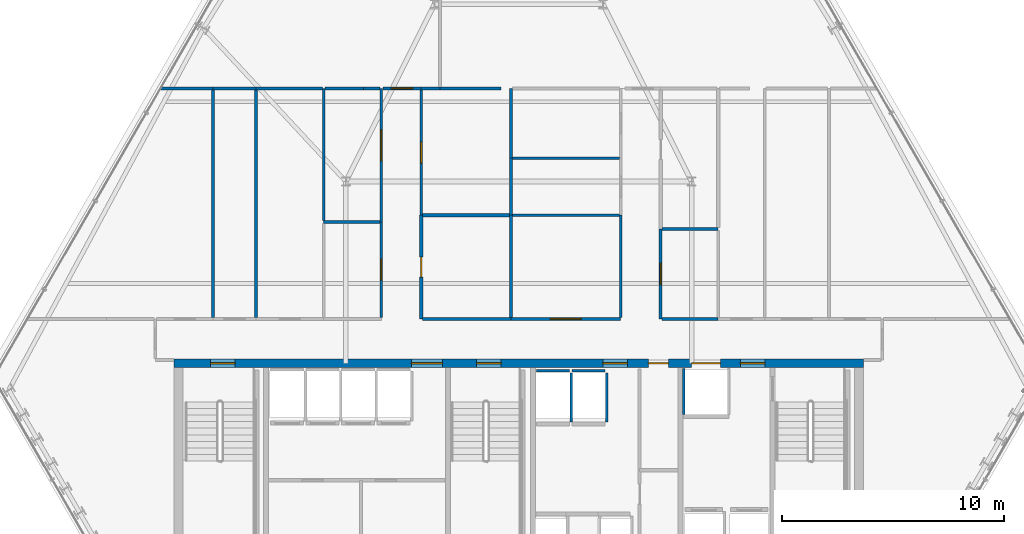
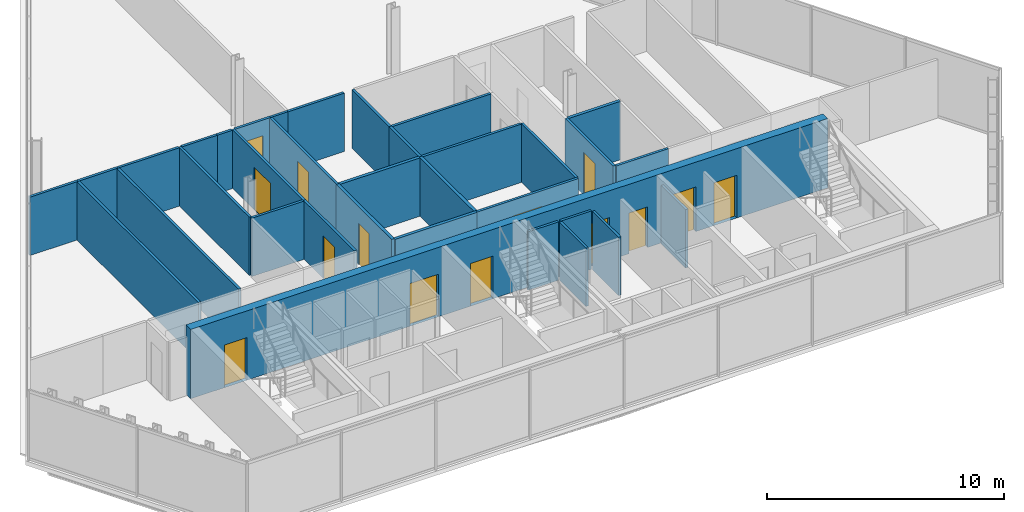
# One storey, part 28 of 33: 34 walls, 14 doors, 14 openings.
"""IFC4 building model written with IfcOpenShell, lengths in metres."""

from ifc_helpers import new_model, si_unit, direction, frame, frame_2d, origin, place, context, subcontext, project, spatial, rectangle, extrude, material, layer, layer_set, type_object, element, fill, save


model = new_model("IFC4")

# Units and contexts
model_context = context("Model", 3, precision=1e-05, world=origin(), true_north=direction((0.0, 1.0)))
body_context = subcontext(model_context, "Body", "Model", "MODEL_VIEW")
ifc_project = project(units=[si_unit("LENGTHUNIT", "METRE"), si_unit("AREAUNIT", "SQUARE_METRE"), si_unit("VOLUMEUNIT", "CUBIC_METRE"), si_unit("PLANEANGLEUNIT", "RADIAN"), si_unit("MASSUNIT", "GRAM", prefix="KILO")], contexts=[model_context])

# Site, building, storey
site_placement = place(None, origin())
site = spatial("IfcSite", under=ifc_project, at=site_placement, CompositionType="ELEMENT")
building_placement = place(site_placement, origin())
building = spatial("IfcBuilding", under=site, at=building_placement, Name="Ndaravel Arena Tower", CompositionType="ELEMENT")
storey_placement = place(building_placement, frame((0.0, 0.0, 161.199951171875)))
storey = spatial("IfcBuildingStorey", under=building, at=storey_placement, Name="L38", CompositionType="ELEMENT", Elevation=161.199951171875)

# Wall, openings, doors
ifc_material_1 = material(Name="Concrete C50/60", Category="concrete")
ifc_layer_1 = layer(ifc_material_1, 0.39990234375)
ifc_layer_set_1 = layer_set([ifc_layer_1], Name="Concrete C50/60")
wall_type_1 = type_object("IfcWallType", Name="WALL-CORE-400", PredefinedType="SOLIDWALL", material=ifc_layer_set_1)
wall_1_placement = place(storey_placement, frame((26.449951171875, 15.0, 0.0), z_axis=(0.0, 0.0, 1.0), x_axis=(1.0, 0.0, 0.0)))
wall_1 = element("IfcWall", 1, at=wall_1_placement, inside=storey, type_object=wall_type_1, Name="L38 Core North Shear Wall", PredefinedType="SOLIDWALL", context=body_context, shape_type="SweptSolid", body=[
    extrude(rectangle(XDim=31.10009765625, YDim=0.39990234375, at=frame_2d((15.550048828125, 0.0))), origin(), (0.0, 0.0, 1.0), 3.580078125),
])
opening_1_placement = place(wall_1_placement, frame((1.64990234375, 0.0, 0.0)))
opening_1 = element("IfcOpeningElement", 2, at=opening_1_placement, cuts=wall_1, Name="Opening FD-01", PredefinedType="OPENING", context=body_context, shape_type="SweptSolid", body=[
    extrude(rectangle(XDim=1.10009765625, YDim=2.199951171875, at=frame_2d((0.550048828125, 1.10009765625))), frame((0.0, 0.199951171875, 0.0), z_axis=(0.0, -1.0, 0.0), x_axis=(1.0, 0.0, 0.0)), (0.0, 0.0, 1.0), 0.39990234375),
])
opening_2_placement = place(wall_1_placement, frame((13.64990234375, 0.0, 0.0)))
opening_2 = element("IfcOpeningElement", 3, at=opening_2_placement, cuts=wall_1, Name="Opening FD-01", PredefinedType="OPENING", context=body_context, shape_type="SweptSolid", body=[
    extrude(rectangle(XDim=1.10009765625, YDim=2.199951171875, at=frame_2d((0.550048828125, 1.10009765625))), frame((0.0, 0.199951171875, 0.0), z_axis=(0.0, -1.0, 0.0), x_axis=(1.0, 0.0, 0.0)), (0.0, 0.0, 1.0), 0.39990234375),
])
opening_3_placement = place(wall_1_placement, frame((25.550048828125, 0.0, 0.0)))
opening_3 = element("IfcOpeningElement", 4, at=opening_3_placement, cuts=wall_1, Name="Opening FD-01", PredefinedType="OPENING", context=body_context, shape_type="SweptSolid", body=[
    extrude(rectangle(XDim=1.10009765625, YDim=2.199951171875, at=frame_2d((0.550048828125, 1.10009765625))), frame((0.0, 0.199951171875, 0.0), z_axis=(0.0, -1.0, 0.0), x_axis=(1.0, 0.0, 0.0)), (0.0, 0.0, 1.0), 0.39990234375),
])
opening_4_placement = place(wall_1_placement, frame((10.699951171875, 0.0, 0.0)))
opening_4 = element("IfcOpeningElement", 5, at=opening_4_placement, cuts=wall_1, Name="Opening ID-02", PredefinedType="OPENING", context=body_context, shape_type="SweptSolid", body=[
    extrude(rectangle(XDim=1.39990234375, YDim=2.199951171875, at=frame_2d((0.699951171875, 1.10009765625))), frame((0.0, 0.199951171875, 0.0), z_axis=(0.0, -1.0, 0.0), x_axis=(1.0, 0.0, 0.0)), (0.0, 0.0, 1.0), 0.39990234375),
])
opening_5_placement = place(wall_1_placement, frame((19.35009765625, 0.0, 0.0)))
opening_5 = element("IfcOpeningElement", 6, at=opening_5_placement, cuts=wall_1, Name="Opening FD-01", PredefinedType="OPENING", context=body_context, shape_type="SweptSolid", body=[
    extrude(rectangle(XDim=1.10009765625, YDim=2.199951171875, at=frame_2d((0.550048828125, 1.10009765625))), frame((0.0, 0.199951171875, 0.0), z_axis=(0.0, -1.0, 0.0), x_axis=(1.0, 0.0, 0.0)), (0.0, 0.0, 1.0), 0.39990234375),
])
opening_6_placement = place(wall_1_placement, frame((21.39990234375, 0.0, 0.0)))
opening_6 = element("IfcOpeningElement", 7, at=opening_6_placement, cuts=wall_1, Name="Opening RD-01", PredefinedType="OPENING", context=body_context, shape_type="SweptSolid", body=[
    extrude(rectangle(XDim=0.89990234375, YDim=2.10009765625, at=frame_2d((0.449951171875, 1.050048828125))), frame((0.0, 0.199951171875, 0.0), z_axis=(0.0, -1.0, 0.0), x_axis=(1.0, 0.0, 0.0)), (0.0, 0.0, 1.0), 0.39990234375),
])
opening_7_placement = place(wall_1_placement, frame((23.35009765625, 0.0, 0.0)))
opening_7 = element("IfcOpeningElement", 8, at=opening_7_placement, cuts=wall_1, Name="Opening LD-02", PredefinedType="OPENING", context=body_context, shape_type="SweptSolid", body=[
    extrude(rectangle(XDim=1.300048828125, YDim=2.300048828125, at=frame_2d((0.64990234375, 1.14990234375))), frame((0.0, 0.199951171875, 0.0), z_axis=(0.0, -1.0, 0.0), x_axis=(1.0, 0.0, 0.0)), (0.0, 0.0, 1.0), 0.39990234375),
])
ifc_material_2 = material(Name="Steel S355", Category="steel")
door_type_1 = type_object("IfcDoorType", Name="DT-01-STAIR-1100", OperationType="SINGLE_SWING_LEFT", PredefinedType="DOOR", material=ifc_material_2)
door_1_placement = place(opening_1_placement, origin())
door_1 = element("IfcDoor", 9, at=door_1_placement, inside=storey, type_object=door_type_1, Name="L38 Exit Stair ST-1 Door", OperationType="SINGLE_SWING_LEFT", OverallHeight=2.199951171875, OverallWidth=1.10009765625, PredefinedType="DOOR", context=body_context, shape_type="SweptSolid", body=[
    extrude(rectangle(XDim=1.10009765625, YDim=2.199951171875, at=frame_2d((0.550048828125, 1.10009765625))), frame((0.0, 0.02490234375, 0.0), z_axis=(0.0, -1.0, 0.0), x_axis=(1.0, 0.0, 0.0)), (0.0, 0.0, 1.0), 0.050048828125),
])
fill(opening_1, door_1)
door_2_placement = place(opening_2_placement, origin())
door_2 = element("IfcDoor", 10, at=door_2_placement, inside=storey, type_object=door_type_1, Name="L38 Exit Stair ST-2 Door", OperationType="SINGLE_SWING_RIGHT", OverallHeight=2.199951171875, OverallWidth=1.10009765625, PredefinedType="DOOR", context=body_context, shape_type="SweptSolid", body=[
    extrude(rectangle(XDim=1.10009765625, YDim=2.199951171875, at=frame_2d((0.550048828125, 1.10009765625))), frame((0.0, 0.02490234375, 0.0), z_axis=(0.0, -1.0, 0.0), x_axis=(1.0, 0.0, 0.0)), (0.0, 0.0, 1.0), 0.050048828125),
])
fill(opening_2, door_2)
door_3_placement = place(opening_3_placement, origin())
door_3 = element("IfcDoor", 11, at=door_3_placement, inside=storey, type_object=door_type_1, Name="L38 Firefighting Lift Lobby Door", OperationType="SINGLE_SWING_RIGHT", OverallHeight=2.199951171875, OverallWidth=1.10009765625, PredefinedType="DOOR", context=body_context, shape_type="SweptSolid", body=[
    extrude(rectangle(XDim=1.10009765625, YDim=2.199951171875, at=frame_2d((0.550048828125, 1.10009765625))), frame((0.0, 0.02490234375, 0.0), z_axis=(0.0, -1.0, 0.0), x_axis=(1.0, 0.0, 0.0)), (0.0, 0.0, 1.0), 0.050048828125),
])
fill(opening_3, door_3)
door_4_placement = place(opening_5_placement, origin())
door_4 = element("IfcDoor", 12, at=door_4_placement, inside=storey, type_object=door_type_1, Name="L38 Express Lift Lobby Entry Door", OperationType="SINGLE_SWING_LEFT", OverallHeight=2.199951171875, OverallWidth=1.10009765625, PredefinedType="DOOR", context=body_context, shape_type="SweptSolid", body=[
    extrude(rectangle(XDim=1.10009765625, YDim=2.199951171875, at=frame_2d((0.550048828125, 1.10009765625))), frame((0.0, 0.02490234375, 0.0), z_axis=(0.0, -1.0, 0.0), x_axis=(1.0, 0.0, 0.0)), (0.0, 0.0, 1.0), 0.050048828125),
])
fill(opening_5, door_4)
ifc_material_3 = material(Name="Timber", Category="wood")
door_type_2 = type_object("IfcDoorType", Name="DT-04-SUITE-1400", OperationType="DOUBLE_DOOR_SINGLE_SWING", PredefinedType="DOOR", material=ifc_material_3)
door_5_placement = place(opening_4_placement, origin())
door_5 = element("IfcDoor", 13, at=door_5_placement, inside=storey, type_object=door_type_2, Name="L38 West Lift Lobby Entry Door", OperationType="DOUBLE_DOOR_SINGLE_SWING", OverallHeight=2.199951171875, OverallWidth=1.39990234375, PredefinedType="DOOR", context=body_context, shape_type="SweptSolid", body=[
    extrude(rectangle(XDim=1.39990234375, YDim=2.199951171875, at=frame_2d((0.699951171875, 1.10009765625))), frame((0.0, 0.02490234375, 0.0), z_axis=(0.0, -1.0, 0.0), x_axis=(1.0, 0.0, 0.0)), (0.0, 0.0, 1.0), 0.050048828125),
])
fill(opening_4, door_5)
ifc_material_4 = material(Name="Steel S355", Category="steel")
door_type_3 = type_object("IfcDoorType", Name="DT-07-SVLIFT-1300", OperationType="DOUBLE_DOOR_SLIDING", PredefinedType="DOOR", material=ifc_material_4)
door_6_placement = place(opening_7_placement, origin())
door_6 = element("IfcDoor", 14, at=door_6_placement, inside=storey, type_object=door_type_3, Name="L38 Lift SVL-1 Sliding Landing Door", OperationType="DOUBLE_DOOR_SLIDING", OverallHeight=2.300048828125, OverallWidth=1.300048828125, PredefinedType="DOOR", context=body_context, shape_type="SweptSolid", body=[
    extrude(rectangle(XDim=1.300048828125, YDim=2.300048828125, at=frame_2d((0.64990234375, 1.14990234375))), frame((0.0, 0.02490234375, 0.0), z_axis=(0.0, -1.0, 0.0), x_axis=(1.0, 0.0, 0.0)), (0.0, 0.0, 1.0), 0.050048828125),
])
fill(opening_7, door_6)
ifc_material_5 = material(Name="Steel S355", Category="steel")
door_type_4 = type_object("IfcDoorType", Name="DT-08-RISER-900", OperationType="SINGLE_SWING_LEFT", PredefinedType="DOOR", material=ifc_material_5)
door_7_placement = place(opening_6_placement, origin())
door_7 = element("IfcDoor", 15, at=door_7_placement, inside=storey, type_object=door_type_4, Name="L38 Core Service Riser North Door", OperationType="SINGLE_SWING_LEFT", OverallHeight=2.10009765625, OverallWidth=0.89990234375, PredefinedType="DOOR", context=body_context, shape_type="SweptSolid", body=[
    extrude(rectangle(XDim=0.89990234375, YDim=2.10009765625, at=frame_2d((0.449951171875, 1.050048828125))), frame((0.0, 0.02490234375, 0.0), z_axis=(0.0, -1.0, 0.0), x_axis=(1.0, 0.0, 0.0)), (0.0, 0.0, 1.0), 0.050048828125),
])
fill(opening_6, door_7)

# Wall, opening, door
ifc_material_6 = material(Name="Gypsum", Category="gypsum")
ifc_layer_2 = layer(ifc_material_6, 0.125)
ifc_layer_set_2 = layer_set([ifc_layer_2], Name="Gypsum")
wall_type_2 = type_object("IfcWallType", Name="WALL-PART-125", PredefinedType="PARTITIONING", material=ifc_layer_set_2)
wall_2_placement = place(storey_placement, frame((35.800048828125, 17.06494140625, 0.0), z_axis=(0.0, 0.0, 1.0), x_axis=(0.0, 1.0, 0.0)))
wall_2 = element("IfcWall", 16, at=wall_2_placement, inside=storey, type_object=wall_type_2, Name="L38 Interior Partition 009", PredefinedType="PARTITIONING", context=body_context, shape_type="SweptSolid", body=[
    extrude(rectangle(XDim=4.302978515625, YDim=0.125, at=frame_2d((2.1513671875, 0.0))), origin(), (0.0, 0.0, 1.0), 3.010498046875),
])
opening_8_placement = place(wall_2_placement, frame((1.676513671875, 0.0, 0.0)))
opening_8 = element("IfcOpeningElement", 17, at=opening_8_placement, cuts=wall_2, Name="Opening ID-01", PredefinedType="OPENING", context=body_context, shape_type="SweptSolid", body=[
    extrude(rectangle(XDim=0.949951171875, YDim=2.199951171875, at=frame_2d((0.47509765625, 1.10009765625))), frame((0.0, 0.0625, 0.0), z_axis=(0.0, -1.0, 0.0), x_axis=(1.0, 0.0, 0.0)), (0.0, 0.0, 1.0), 0.125),
])
ifc_material_7 = material(Name="Timber", Category="wood")
door_type_5 = type_object("IfcDoorType", Name="DT-03-OFFICE-950", OperationType="SINGLE_SWING_LEFT", PredefinedType="DOOR", material=ifc_material_7)
door_8_placement = place(opening_8_placement, origin())
door_8 = element("IfcDoor", 18, at=door_8_placement, inside=storey, type_object=door_type_5, Name="L38 Quiet Reading Library Door", OperationType="SINGLE_SWING_RIGHT", OverallHeight=2.199951171875, OverallWidth=0.949951171875, PredefinedType="DOOR", context=body_context, shape_type="SweptSolid", body=[
    extrude(rectangle(XDim=0.949951171875, YDim=2.199951171875, at=frame_2d((0.47509765625, 1.10009765625))), frame((0.0, 0.02490234375, 0.0), z_axis=(0.0, -1.0, 0.0), x_axis=(1.0, 0.0, 0.0)), (0.0, 0.0, 1.0), 0.050048828125),
])
fill(opening_8, door_8)

wall_3_placement = place(storey_placement, frame((35.800048828125, 21.367919921875, 0.0), z_axis=(0.0, 0.0, 1.0), x_axis=(0.0, 1.0, 0.0)))
wall_3 = element("IfcWall", 19, at=wall_3_placement, inside=storey, type_object=wall_type_2, Name="L38 Interior Partition 010", PredefinedType="PARTITIONING", context=body_context, shape_type="SweptSolid", body=[
    extrude(rectangle(XDim=6.031982421875, YDim=0.125, at=frame_2d((3.01611328125, 0.0))), origin(), (0.0, 0.0, 1.0), 3.010498046875),
])
opening_9_placement = place(wall_3_placement, frame((2.76611328125, 0.0, 0.0)))
opening_9 = element("IfcOpeningElement", 20, at=opening_9_placement, cuts=wall_3, Name="Opening ID-02", PredefinedType="OPENING", context=body_context, shape_type="SweptSolid", body=[
    extrude(rectangle(XDim=1.39990234375, YDim=2.199951171875, at=frame_2d((0.699951171875, 1.10009765625))), frame((0.0, 0.0625, 0.0), z_axis=(0.0, -1.0, 0.0), x_axis=(1.0, 0.0, 0.0)), (0.0, 0.0, 1.0), 0.125),
])
door_9_placement = place(opening_9_placement, origin())
door_9 = element("IfcDoor", 21, at=door_9_placement, inside=storey, type_object=door_type_2, Name="L38 Client Conference Room 6 Door", OperationType="SINGLE_SWING_LEFT", OverallHeight=2.199951171875, OverallWidth=1.39990234375, PredefinedType="DOOR", context=body_context, shape_type="SweptSolid", body=[
    extrude(rectangle(XDim=1.39990234375, YDim=2.199951171875, at=frame_2d((0.699951171875, 1.10009765625))), frame((0.0, 0.02490234375, 0.0), z_axis=(0.0, -1.0, 0.0), x_axis=(1.0, 0.0, 0.0)), (0.0, 0.0, 1.0), 0.050048828125),
])
fill(opening_9, door_9)

wall_4_placement = place(storey_placement, frame((35.864990234375, 27.39990234375, 0.0), z_axis=(0.0, 0.0, 1.0), x_axis=(1.0, 0.0, 0.0)))
wall_4 = element("IfcWall", 22, at=wall_4_placement, inside=storey, type_object=wall_type_2, Name="L38 Interior Partition 011", PredefinedType="PARTITIONING", context=body_context, shape_type="SweptSolid", body=[
    extrude(rectangle(XDim=1.735107421875, YDim=0.125, at=frame_2d((0.86767578125, 0.0))), origin(), (0.0, 0.0, 1.0), 3.010498046875),
])
opening_10_placement = place(wall_4_placement, frame((0.392578125, 0.0, 0.0)))
opening_10 = element("IfcOpeningElement", 23, at=opening_10_placement, cuts=wall_4, Name="Opening ID-01", PredefinedType="OPENING", context=body_context, shape_type="SweptSolid", body=[
    extrude(rectangle(XDim=0.949951171875, YDim=2.199951171875, at=frame_2d((0.47509765625, 1.10009765625))), frame((0.0, 0.0625, 0.0), z_axis=(0.0, -1.0, 0.0), x_axis=(1.0, 0.0, 0.0)), (0.0, 0.0, 1.0), 0.125),
])
door_10_placement = place(opening_10_placement, origin())
door_10 = element("IfcDoor", 24, at=door_10_placement, inside=storey, type_object=door_type_5, Name="L38 Medical First Aid Clinic 7 Door", OperationType="SINGLE_SWING_RIGHT", OverallHeight=2.199951171875, OverallWidth=0.949951171875, PredefinedType="DOOR", context=body_context, shape_type="SweptSolid", body=[
    extrude(rectangle(XDim=0.949951171875, YDim=2.199951171875, at=frame_2d((0.47509765625, 1.10009765625))), frame((0.0, 0.02490234375, 0.0), z_axis=(0.0, -1.0, 0.0), x_axis=(1.0, 0.0, 0.0)), (0.0, 0.0, 1.0), 0.050048828125),
])
fill(opening_10, door_10)

wall_5_placement = place(storey_placement, frame((37.60009765625, 27.3349609375, 0.0), z_axis=(0.0, 0.0, 1.0), x_axis=(0.0, -1.0, 0.0)))
wall_5 = element("IfcWall", 25, at=wall_5_placement, inside=storey, type_object=wall_type_2, Name="L38 Interior Partition 012", PredefinedType="PARTITIONING", context=body_context, shape_type="SweptSolid", body=[
    extrude(rectangle(XDim=5.655029296875, YDim=0.125, at=frame_2d((2.82763671875, 0.0))), origin(), (0.0, 0.0, 1.0), 3.010498046875),
])
opening_11_placement = place(wall_5_placement, frame((2.3525390625, 0.0, 0.0)))
opening_11 = element("IfcOpeningElement", 26, at=opening_11_placement, cuts=wall_5, Name="Opening ID-01", PredefinedType="OPENING", context=body_context, shape_type="SweptSolid", body=[
    extrude(rectangle(XDim=0.949951171875, YDim=2.199951171875, at=frame_2d((0.47509765625, 1.10009765625))), frame((0.0, 0.0625, 0.0), z_axis=(0.0, -1.0, 0.0), x_axis=(1.0, 0.0, 0.0)), (0.0, 0.0, 1.0), 0.125),
])
door_11_placement = place(opening_11_placement, origin())
door_11 = element("IfcDoor", 27, at=door_11_placement, inside=storey, type_object=door_type_5, Name="L38 Occupational Consult Room 6 Door", OperationType="SINGLE_SWING_RIGHT", OverallHeight=2.199951171875, OverallWidth=0.949951171875, PredefinedType="DOOR", context=body_context, shape_type="SweptSolid", body=[
    extrude(rectangle(XDim=0.949951171875, YDim=2.199951171875, at=frame_2d((0.47509765625, 1.10009765625))), frame((0.0, 0.02490234375, 0.0), z_axis=(0.0, -1.0, 0.0), x_axis=(1.0, 0.0, 0.0)), (0.0, 0.0, 1.0), 0.050048828125),
])
fill(opening_11, door_11)

wall_6_placement = place(storey_placement, frame((41.64990234375, 17.0, 0.0), z_axis=(0.0, 0.0, 1.0), x_axis=(1.0, 0.0, 0.0)))
wall_6 = element("IfcWall", 28, at=wall_6_placement, inside=storey, type_object=wall_type_2, Name="L38 Interior Partition 015", PredefinedType="PARTITIONING", context=body_context, shape_type="SweptSolid", body=[
    extrude(rectangle(XDim=4.9501953125, YDim=0.125, at=frame_2d((2.47509765625, 0.0))), origin(), (0.0, 0.0, 1.0), 3.010498046875),
])
opening_12_placement = place(wall_6_placement, frame((1.77490234375, 0.0, 0.0)))
opening_12 = element("IfcOpeningElement", 29, at=opening_12_placement, cuts=wall_6, Name="Opening ID-02", PredefinedType="OPENING", context=body_context, shape_type="SweptSolid", body=[
    extrude(rectangle(XDim=1.39990234375, YDim=2.199951171875, at=frame_2d((0.699951171875, 1.10009765625))), frame((0.0, 0.0625, 0.0), z_axis=(0.0, -1.0, 0.0), x_axis=(1.0, 0.0, 0.0)), (0.0, 0.0, 1.0), 0.125),
])
door_12_placement = place(opening_12_placement, origin())
door_12 = element("IfcDoor", 30, at=door_12_placement, inside=storey, type_object=door_type_2, Name="L38 Client Conference Room 2 Door", OperationType="SINGLE_SWING_RIGHT", OverallHeight=2.199951171875, OverallWidth=1.39990234375, PredefinedType="DOOR", context=body_context, shape_type="SweptSolid", body=[
    extrude(rectangle(XDim=1.39990234375, YDim=2.199951171875, at=frame_2d((0.699951171875, 1.10009765625))), frame((0.0, 0.02490234375, 0.0), z_axis=(0.0, -1.0, 0.0), x_axis=(1.0, 0.0, 0.0)), (0.0, 0.0, 1.0), 0.050048828125),
])
fill(opening_12, door_12)

# Wall
wall_7_placement = place(storey_placement, frame((46.60009765625, 17.06494140625, 0.0), z_axis=(0.0, 0.0, 1.0), x_axis=(0.0, 1.0, 0.0)))
element("IfcWall", 31, at=wall_7_placement, inside=storey, type_object=wall_type_2, Name="L38 Interior Partition 016", PredefinedType="PARTITIONING", context=body_context, shape_type="SweptSolid", body=[
    extrude(rectangle(XDim=4.614990234375, YDim=0.125, at=frame_2d((2.3076171875, 0.0))), origin(), (0.0, 0.0, 1.0), 3.010498046875),
])

# Wall, opening, door
wall_8_placement = place(storey_placement, frame((48.39990234375, 21.055908203125, 0.0), z_axis=(0.0, 0.0, 1.0), x_axis=(0.0, -1.0, 0.0)))
wall_8 = element("IfcWall", 32, at=wall_8_placement, inside=storey, type_object=wall_type_2, Name="L38 Interior Partition 021", PredefinedType="PARTITIONING", context=body_context, shape_type="SweptSolid", body=[
    extrude(rectangle(XDim=4.055908203125, YDim=0.125, at=frame_2d((2.02783203125, 0.0))), origin(), (0.0, 0.0, 1.0), 3.010498046875),
])
opening_13_placement = place(wall_8_placement, frame((1.552978515625, 0.0, 0.0)))
opening_13 = element("IfcOpeningElement", 33, at=opening_13_placement, cuts=wall_8, Name="Opening ID-01", PredefinedType="OPENING", context=body_context, shape_type="SweptSolid", body=[
    extrude(rectangle(XDim=0.949951171875, YDim=2.199951171875, at=frame_2d((0.47509765625, 1.10009765625))), frame((0.0, 0.0625, 0.0), z_axis=(0.0, -1.0, 0.0), x_axis=(1.0, 0.0, 0.0)), (0.0, 0.0, 1.0), 0.125),
])
door_13_placement = place(opening_13_placement, origin())
door_13 = element("IfcDoor", 34, at=door_13_placement, inside=storey, type_object=door_type_5, Name="L38 Open Plan Workplace Door", OperationType="SINGLE_SWING_LEFT", OverallHeight=2.199951171875, OverallWidth=0.949951171875, PredefinedType="DOOR", context=body_context, shape_type="SweptSolid", body=[
    extrude(rectangle(XDim=0.949951171875, YDim=2.199951171875, at=frame_2d((0.47509765625, 1.10009765625))), frame((0.0, 0.02490234375, 0.0), z_axis=(0.0, -1.0, 0.0), x_axis=(1.0, 0.0, 0.0)), (0.0, 0.0, 1.0), 0.050048828125),
])
fill(opening_13, door_13)

# Walls
wall_9_placement = place(storey_placement, frame((48.465087890625, 17.0, 0.0), z_axis=(0.0, 0.0, 1.0), x_axis=(1.0, 0.0, 0.0)))
element("IfcWall", 35, at=wall_9_placement, inside=storey, type_object=wall_type_2, Name="L38 Interior Partition 022", PredefinedType="PARTITIONING", context=body_context, shape_type="SweptSolid", body=[
    extrude(rectangle(XDim=2.534912109375, YDim=0.125, at=frame_2d((1.267578125, 0.0))), origin(), (0.0, 0.0, 1.0), 3.010498046875),
])
wall_10_placement = place(storey_placement, frame((33.199951171875, 21.367919921875, 0.0), z_axis=(0.0, 0.0, 1.0), x_axis=(1.0, 0.0, 0.0)))
element("IfcWall", 36, at=wall_10_placement, inside=storey, type_object=wall_type_2, Name="L38 Interior Partition 032", PredefinedType="PARTITIONING", context=body_context, shape_type="SweptSolid", body=[
    extrude(rectangle(XDim=2.53515625, YDim=0.125, at=frame_2d((1.267578125, 0.0))), origin(), (0.0, 0.0, 1.0), 3.010498046875),
])
wall_11_placement = place(storey_placement, frame((41.715087890625, 21.679931640625, 0.0), z_axis=(0.0, 0.0, 1.0), x_axis=(1.0, 0.0, 0.0)))
element("IfcWall", 37, at=wall_11_placement, inside=storey, type_object=wall_type_2, Name="L38 Interior Partition 036", PredefinedType="PARTITIONING", context=body_context, shape_type="SweptSolid", body=[
    extrude(rectangle(XDim=4.81982421875, YDim=0.125, at=frame_2d((2.409912109375, 0.0))), origin(), (0.0, 0.0, 1.0), 3.010498046875),
])
wall_12_placement = place(storey_placement, frame((25.83984375, 27.39990234375, 0.0), z_axis=(0.0, 0.0, 1.0), x_axis=(1.0, 0.0, 0.0)))
element("IfcWall", 38, at=wall_12_placement, inside=storey, type_object=wall_type_2, Name="L38 Interior Partition 039", PredefinedType="PARTITIONING", context=body_context, shape_type="SweptSolid", body=[
    extrude(rectangle(XDim=2.360107421875, YDim=0.125, at=frame_2d((1.18017578125, 0.0))), origin(), (0.0, 0.0, 1.0), 3.010498046875),
])
wall_13_placement = place(storey_placement, frame((28.199951171875, 27.3349609375, 0.0), z_axis=(0.0, 0.0, 1.0), x_axis=(0.0, -1.0, 0.0)))
element("IfcWall", 39, at=wall_13_placement, inside=storey, type_object=wall_type_2, Name="L38 Interior Partition 040", PredefinedType="PARTITIONING", context=body_context, shape_type="SweptSolid", body=[
    extrude(rectangle(XDim=10.27001953125, YDim=0.125, at=frame_2d((5.135009765625, 0.0))), origin(), (0.0, 0.0, 1.0), 3.010498046875),
])
wall_14_placement = place(storey_placement, frame((28.199951171875, 27.39990234375, 0.0), z_axis=(0.0, 0.0, 1.0), x_axis=(1.0, 0.0, 0.0)))
element("IfcWall", 40, at=wall_14_placement, inside=storey, type_object=wall_type_2, Name="L38 Interior Partition 041", PredefinedType="PARTITIONING", context=body_context, shape_type="SweptSolid", body=[
    extrude(rectangle(XDim=1.949951171875, YDim=0.125, at=frame_2d((0.97509765625, 0.0))), origin(), (0.0, 0.0, 1.0), 3.010498046875),
])
wall_15_placement = place(storey_placement, frame((30.14990234375, 27.3349609375, 0.0), z_axis=(0.0, 0.0, 1.0), x_axis=(0.0, -1.0, 0.0)))
element("IfcWall", 41, at=wall_15_placement, inside=storey, type_object=wall_type_2, Name="L38 Interior Partition 042", PredefinedType="PARTITIONING", context=body_context, shape_type="SweptSolid", body=[
    extrude(rectangle(XDim=10.27001953125, YDim=0.125, at=frame_2d((5.135009765625, 0.0))), origin(), (0.0, 0.0, 1.0), 3.010498046875),
])
wall_16_placement = place(storey_placement, frame((33.199951171875, 27.39990234375, 0.0), z_axis=(0.0, 0.0, 1.0), x_axis=(0.0, -1.0, 0.0)))
element("IfcWall", 42, at=wall_16_placement, inside=storey, type_object=wall_type_2, Name="L38 Interior Partition 043", PredefinedType="PARTITIONING", context=body_context, shape_type="SweptSolid", body=[
    extrude(rectangle(XDim=5.966796875, YDim=0.125, at=frame_2d((2.9833984375, 0.0))), origin(), (0.0, 0.0, 1.0), 3.010498046875),
])
wall_17_placement = place(storey_placement, frame((30.14990234375, 27.39990234375, 0.0), z_axis=(0.0, 0.0, 1.0), x_axis=(1.0, 0.0, 0.0)))
element("IfcWall", 43, at=wall_17_placement, inside=storey, type_object=wall_type_2, Name="L38 Interior Partition 044", PredefinedType="PARTITIONING", context=body_context, shape_type="SweptSolid", body=[
    extrude(rectangle(XDim=2.985107421875, YDim=0.125, at=frame_2d((1.49267578125, 0.0))), origin(), (0.0, 0.0, 1.0), 3.010498046875),
])
wall_18_placement = place(storey_placement, frame((41.64990234375, 21.679931640625, 0.0), z_axis=(0.0, 0.0, 1.0), x_axis=(0.0, 1.0, 0.0)))
element("IfcWall", 44, at=wall_18_placement, inside=storey, type_object=wall_type_2, Name="L38 Interior Partition 049", PredefinedType="PARTITIONING", context=body_context, shape_type="SweptSolid", body=[
    extrude(rectangle(XDim=2.573974609375, YDim=0.125, at=frame_2d((1.287109375, 0.0))), origin(), (0.0, 0.0, 1.0), 3.010498046875),
])
wall_19_placement = place(storey_placement, frame((41.715087890625, 24.25390625, 0.0), z_axis=(0.0, 0.0, 1.0), x_axis=(1.0, 0.0, 0.0)))
element("IfcWall", 45, at=wall_19_placement, inside=storey, type_object=wall_type_2, Name="L38 Interior Partition 050", PredefinedType="PARTITIONING", context=body_context, shape_type="SweptSolid", body=[
    extrude(rectangle(XDim=4.81982421875, YDim=0.125, at=frame_2d((2.409912109375, 0.0))), origin(), (0.0, 0.0, 1.0), 3.010498046875),
])
wall_20_placement = place(storey_placement, frame((33.264892578125, 27.39990234375, 0.0), z_axis=(0.0, 0.0, 1.0), x_axis=(1.0, 0.0, 0.0)))
element("IfcWall", 46, at=wall_20_placement, inside=storey, type_object=wall_type_2, Name="L38 Interior Partition 052", PredefinedType="PARTITIONING", context=body_context, shape_type="SweptSolid", body=[
    extrude(rectangle(XDim=1.735107421875, YDim=0.125, at=frame_2d((0.86767578125, 0.0))), origin(), (0.0, 0.0, 1.0), 3.010498046875),
])
wall_21_placement = place(storey_placement, frame((35.0, 27.39990234375, 0.0), z_axis=(0.0, 0.0, 1.0), x_axis=(1.0, 0.0, 0.0)))
element("IfcWall", 47, at=wall_21_placement, inside=storey, type_object=wall_type_2, Name="L38 Interior Partition 053", PredefinedType="PARTITIONING", context=body_context, shape_type="SweptSolid", body=[
    extrude(rectangle(XDim=0.735107421875, YDim=0.125, at=frame_2d((0.36767578125, 0.0))), origin(), (0.0, 0.0, 1.0), 3.010498046875),
])
wall_22_placement = place(storey_placement, frame((41.64990234375, 27.39990234375, 0.0), z_axis=(0.0, 0.0, 1.0), x_axis=(0.0, -1.0, 0.0)))
element("IfcWall", 48, at=wall_22_placement, inside=storey, type_object=wall_type_2, Name="L38 Interior Partition 054", PredefinedType="PARTITIONING", context=body_context, shape_type="SweptSolid", body=[
    extrude(rectangle(XDim=3.14599609375, YDim=0.125, at=frame_2d((1.572998046875, 0.0))), origin(), (0.0, 0.0, 1.0), 3.010498046875),
])
wall_23_placement = place(storey_placement, frame((37.60009765625, 27.39990234375, 0.0), z_axis=(0.0, 0.0, 1.0), x_axis=(1.0, 0.0, 0.0)))
element("IfcWall", 49, at=wall_23_placement, inside=storey, type_object=wall_type_2, Name="L38 Interior Partition 055", PredefinedType="PARTITIONING", context=body_context, shape_type="SweptSolid", body=[
    extrude(rectangle(XDim=0.8447265625, YDim=0.125, at=frame_2d((0.42236328125, 0.0))), origin(), (0.0, 0.0, 1.0), 3.010498046875),
])
wall_24_placement = place(storey_placement, frame((38.44482421875, 27.39990234375, 0.0), z_axis=(0.0, 0.0, 1.0), x_axis=(1.0, 0.0, 0.0)))
element("IfcWall", 50, at=wall_24_placement, inside=storey, type_object=wall_type_2, Name="L38 Interior Partition 056", PredefinedType="PARTITIONING", context=body_context, shape_type="SweptSolid", body=[
    extrude(rectangle(XDim=2.755126953125, YDim=0.125, at=frame_2d((1.37744140625, 0.0))), origin(), (0.0, 0.0, 1.0), 3.010498046875),
])
ifc_material_8 = material(Name="Concrete C40/50", Category="concrete")
ifc_layer_3 = layer(ifc_material_8, 0.1201171875)
ifc_layer_set_3 = layer_set([ifc_layer_3], Name="Concrete C40/50")
wall_type_3 = type_object("IfcWallType", Name="WALL-SHAFT-120", PredefinedType="SOLIDWALL", material=ifc_layer_set_3)
wall_25_placement = place(storey_placement, frame((42.804931640625, 14.659912109375, 0.0), z_axis=(0.0, 0.0, 1.0), x_axis=(1.0, 0.0, 0.0)))
element("IfcWall", 51, at=wall_25_placement, inside=storey, type_object=wall_type_3, Name="L38 PL-OBS1 Shaft Rear Wall", PredefinedType="SOLIDWALL", context=body_context, shape_type="SweptSolid", body=[
    extrude(rectangle(XDim=1.489990234375, YDim=0.1201171875, at=frame_2d((0.7451171875, 0.0))), origin(), (0.0, 0.0, 1.0), 3.010498046875),
])
wall_26_placement = place(storey_placement, frame((44.375, 12.340087890625, 0.0), z_axis=(0.0, 0.0, 1.0), x_axis=(0.0, 1.0, 0.0)))
element("IfcWall", 52, at=wall_26_placement, inside=storey, type_object=wall_type_3, Name="L38 PL-OBS1 Shaft Side R Wall", PredefinedType="SOLIDWALL", context=body_context, shape_type="SweptSolid", body=[
    extrude(rectangle(XDim=2.22998046875, YDim=0.1201171875, at=frame_2d((1.114990234375, 0.0))), origin(), (0.0, 0.0, 1.0), 3.010498046875),
])
wall_27_placement = place(storey_placement, frame((44.405029296875, 14.659912109375, 0.0), z_axis=(0.0, 0.0, 1.0), x_axis=(1.0, 0.0, 0.0)))
element("IfcWall", 53, at=wall_27_placement, inside=storey, type_object=wall_type_3, Name="L38 PL-OBS2 Shaft Rear Wall", PredefinedType="SOLIDWALL", context=body_context, shape_type="SweptSolid", body=[
    extrude(rectangle(XDim=1.489990234375, YDim=0.1201171875, at=frame_2d((0.7451171875, 0.0))), origin(), (0.0, 0.0, 1.0), 3.010498046875),
])
wall_28_placement = place(storey_placement, frame((45.97509765625, 12.340087890625, 0.0), z_axis=(0.0, 0.0, 1.0), x_axis=(0.0, 1.0, 0.0)))
element("IfcWall", 54, at=wall_28_placement, inside=storey, type_object=wall_type_3, Name="L38 PL-OBS2 Shaft Side R Wall", PredefinedType="SOLIDWALL", context=body_context, shape_type="SweptSolid", body=[
    extrude(rectangle(XDim=2.22998046875, YDim=0.1201171875, at=frame_2d((1.114990234375, 0.0))), origin(), (0.0, 0.0, 1.0), 3.010498046875),
])
wall_29_placement = place(storey_placement, frame((49.43994140625, 12.68994140625, 0.0), z_axis=(0.0, 0.0, 1.0), x_axis=(0.0, 1.0, 0.0)))
element("IfcWall", 55, at=wall_29_placement, inside=storey, type_object=wall_type_3, Name="L38 SVL-1 Shaft W Wall", PredefinedType="SOLIDWALL", context=body_context, shape_type="SweptSolid", body=[
    extrude(rectangle(XDim=2.070068359375, YDim=0.1201171875, at=frame_2d((1.03515625, 0.0))), origin(), (0.0, 0.0, 1.0), 3.010498046875),
])

# Wall, opening, door
ifc_material_9 = material(Name="Masonry", Category="masonry")
ifc_layer_4 = layer(ifc_material_9, 0.14990234375)
ifc_layer_set_4 = layer_set([ifc_layer_4], Name="Masonry")
wall_type_4 = type_object("IfcWallType", Name="WALL-WET-150", PredefinedType="PARTITIONING", material=ifc_layer_set_4)
wall_30_placement = place(storey_placement, frame((37.60009765625, 21.679931640625, 0.0), z_axis=(0.0, 0.0, 1.0), x_axis=(0.0, -1.0, 0.0)))
wall_30 = element("IfcWall", 56, at=wall_30_placement, inside=storey, type_object=wall_type_4, Name="L38 Interior Partition 013", PredefinedType="PARTITIONING", context=body_context, shape_type="SweptSolid", body=[
    extrude(rectangle(XDim=4.679931640625, YDim=0.14990234375, at=frame_2d((2.33984375, 0.0))), origin(), (0.0, 0.0, 1.0), 3.010498046875),
])
opening_14_placement = place(wall_30_placement, frame((1.889892578125, 0.0, 0.0)))
opening_14 = element("IfcOpeningElement", 57, at=opening_14_placement, cuts=wall_30, Name="Opening WD-01", PredefinedType="OPENING", context=body_context, shape_type="SweptSolid", body=[
    extrude(rectangle(XDim=0.89990234375, YDim=2.14990234375, at=frame_2d((0.449951171875, 1.074951171875))), frame((0.0, 0.074951171875, 0.0), z_axis=(0.0, -1.0, 0.0), x_axis=(1.0, 0.0, 0.0)), (0.0, 0.0, 1.0), 0.14990234375),
])
ifc_material_10 = material(Name="Timber", Category="wood")
door_type_6 = type_object("IfcDoorType", Name="DT-05-WC-900", OperationType="SINGLE_SWING_LEFT", PredefinedType="DOOR", material=ifc_material_10)
door_14_placement = place(opening_14_placement, origin())
door_14 = element("IfcDoor", 58, at=door_14_placement, inside=storey, type_object=door_type_6, Name="L38 Male Staff & Visitor Restroom Door", OperationType="SINGLE_SWING_LEFT", OverallHeight=2.14990234375, OverallWidth=0.89990234375, PredefinedType="DOOR", context=body_context, shape_type="SweptSolid", body=[
    extrude(rectangle(XDim=0.89990234375, YDim=2.14990234375, at=frame_2d((0.449951171875, 1.074951171875))), frame((0.0, 0.02490234375, 0.0), z_axis=(0.0, -1.0, 0.0), x_axis=(1.0, 0.0, 0.0)), (0.0, 0.0, 1.0), 0.050048828125),
])
fill(opening_14, door_14)

# Walls
wall_31_placement = place(storey_placement, frame((37.6650390625, 17.0, 0.0), z_axis=(0.0, 0.0, 1.0), x_axis=(1.0, 0.0, 0.0)))
element("IfcWall", 59, at=wall_31_placement, inside=storey, type_object=wall_type_4, Name="L38 Interior Partition 014", PredefinedType="PARTITIONING", context=body_context, shape_type="SweptSolid", body=[
    extrude(rectangle(XDim=3.98486328125, YDim=0.14990234375, at=frame_2d((1.992431640625, 0.0))), origin(), (0.0, 0.0, 1.0), 3.010498046875),
])
wall_32_placement = place(storey_placement, frame((48.465087890625, 21.055908203125, 0.0), z_axis=(0.0, 0.0, 1.0), x_axis=(1.0, 0.0, 0.0)))
element("IfcWall", 60, at=wall_32_placement, inside=storey, type_object=wall_type_4, Name="L38 Interior Partition 030", PredefinedType="PARTITIONING", context=body_context, shape_type="SweptSolid", body=[
    extrude(rectangle(XDim=2.534912109375, YDim=0.14990234375, at=frame_2d((1.267578125, 0.0))), origin(), (0.0, 0.0, 1.0), 3.010498046875),
])
wall_33_placement = place(storey_placement, frame((41.64990234375, 21.679931640625, 0.0), z_axis=(0.0, 0.0, 1.0), x_axis=(0.0, -1.0, 0.0)))
element("IfcWall", 61, at=wall_33_placement, inside=storey, type_object=wall_type_4, Name="L38 Interior Partition 034", PredefinedType="PARTITIONING", context=body_context, shape_type="SweptSolid", body=[
    extrude(rectangle(XDim=4.614990234375, YDim=0.14990234375, at=frame_2d((2.3076171875, 0.0))), origin(), (0.0, 0.0, 1.0), 3.010498046875),
])
wall_34_placement = place(storey_placement, frame((37.6650390625, 21.679931640625, 0.0), z_axis=(0.0, 0.0, 1.0), x_axis=(1.0, 0.0, 0.0)))
element("IfcWall", 62, at=wall_34_placement, inside=storey, type_object=wall_type_4, Name="L38 Interior Partition 035", PredefinedType="PARTITIONING", context=body_context, shape_type="SweptSolid", body=[
    extrude(rectangle(XDim=3.919921875, YDim=0.14990234375, at=frame_2d((1.9599609375, 0.0))), origin(), (0.0, 0.0, 1.0), 3.010498046875),
])

save(model, "model.ifc")
